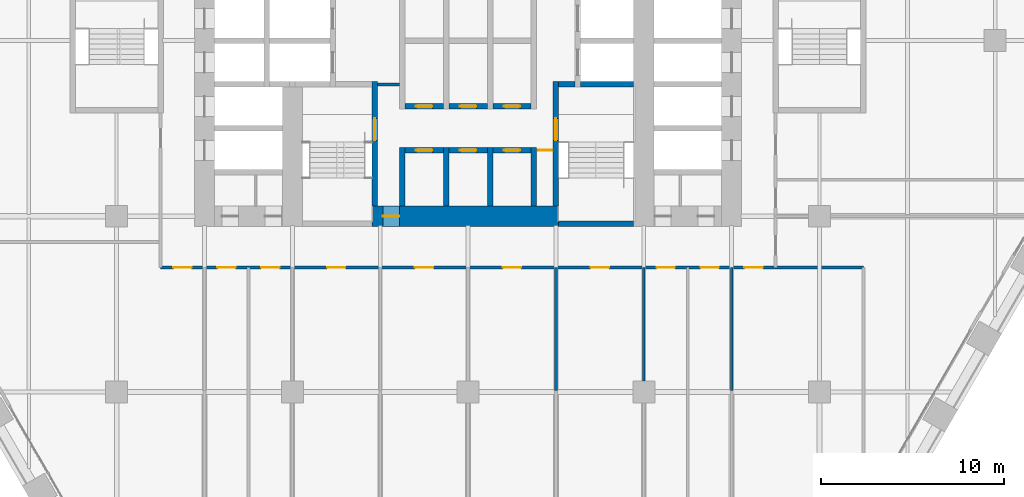
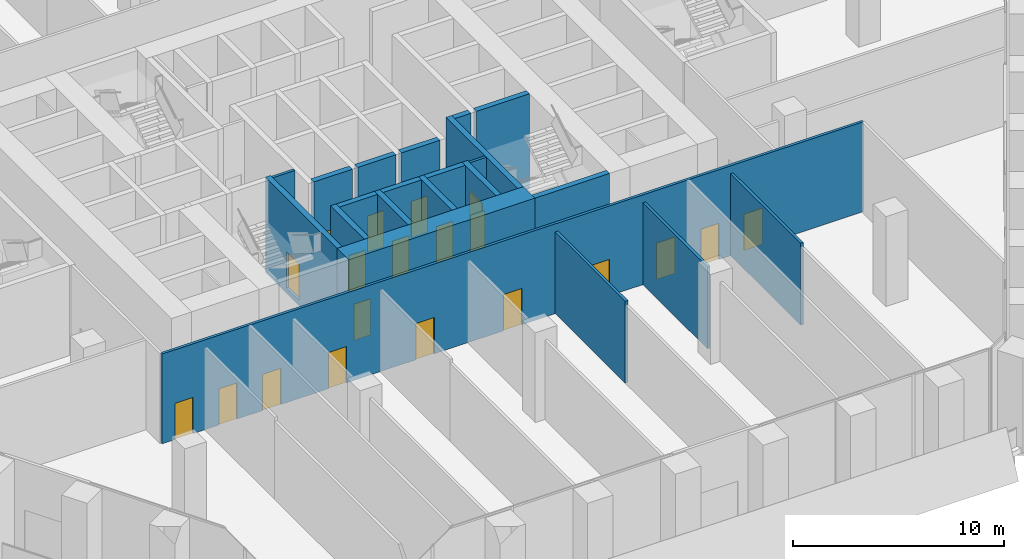
# One storey, part 18 of 27: 22 walls, 20 doors, 20 openings.
"""IFC4 building model written with IfcOpenShell, lengths in metres."""

from ifc_helpers import new_model, si_unit, direction, frame, frame_2d, origin, place, context, subcontext, project, spatial, rectangle, extrude, material, layer, layer_set, type_object, element, fill, save


model = new_model("IFC4")

# Units and contexts
model_context = context("Model", 3, precision=1e-05, world=origin(), true_north=direction((0.0, 1.0)))
body_context = subcontext(model_context, "Body", "Model", "MODEL_VIEW")
ifc_project = project(units=[si_unit("LENGTHUNIT", "METRE"), si_unit("AREAUNIT", "SQUARE_METRE"), si_unit("VOLUMEUNIT", "CUBIC_METRE"), si_unit("PLANEANGLEUNIT", "RADIAN"), si_unit("MASSUNIT", "GRAM", prefix="KILO")], contexts=[model_context])

# Site, building, storey
site_placement = place(None, origin())
site = spatial("IfcSite", under=ifc_project, at=site_placement, CompositionType="ELEMENT")
building_placement = place(site_placement, origin())
building = spatial("IfcBuilding", under=site, at=building_placement, Name="Kolab Exchange Tower", CompositionType="ELEMENT")
storey_placement = place(building_placement, frame((0.0, 0.0, 66.39990234375)))
storey = spatial("IfcBuildingStorey", under=building, at=storey_placement, Name="L12", CompositionType="ELEMENT", Elevation=66.39990234375)

# Wall, opening, door
ifc_material_1 = material(Name="Concrete C80/95", Category="concrete")
ifc_layer_1 = layer(ifc_material_1, 1.10009765625)
ifc_layer_set_1 = layer_set([ifc_layer_1], Name="Concrete C80/95")
wall_type_1 = type_object("IfcWallType", Name="CORE WALL 1100 C80/95", PredefinedType="SHEAR", material=ifc_layer_set_1)
wall_1_placement = place(storey_placement, frame((-5.25, -9.60009765625, -0.2998046875), z_axis=(0.0, 0.0, 1.0), x_axis=(1.0, 0.0, 0.0)))
wall_1 = element("IfcWall", 1, at=wall_1_placement, inside=storey, type_object=wall_type_1, Name="wall/L12/core/003", PredefinedType="SHEAR", context=body_context, shape_type="SweptSolid", body=[
    extrude(rectangle(XDim=10.199951171875, YDim=1.10009765625, at=frame_2d((5.10009765625, 0.0))), origin(), (0.0, 0.0, 1.0), 5.5),
])
opening_1_placement = place(wall_1_placement, frame((0.60009765625, 0.0, 0.300048828125)))
opening_1 = element("IfcOpeningElement", 2, at=opening_1_placement, cuts=wall_1, Name="Opening D6-158", PredefinedType="OPENING", context=body_context, shape_type="SweptSolid", body=[
    extrude(rectangle(XDim=0.89990234375, YDim=2.10009765625, at=frame_2d((0.449951171875, 1.050048828125))), frame((0.0, 0.56005859375, 0.0), z_axis=(0.0, -1.0, 0.0), x_axis=(1.0, 0.0, 0.0)), (0.0, 0.0, 1.0), 1.1201171875),
])
ifc_material_2 = material(Name="Steel S235", Category="steel")
door_type_1 = type_object("IfcDoorType", Name="CORE DOOR 900 EI 120", OperationType="SINGLE_SWING_LEFT", PredefinedType="DOOR", material=ifc_material_2)
door_1_placement = place(opening_1_placement, origin())
door_1 = element("IfcDoor", 3, at=door_1_placement, inside=storey, type_object=door_type_1, Name="Core lobby door", OperationType="SINGLE_SWING_RIGHT", OverallHeight=2.10009765625, OverallWidth=0.89990234375, PredefinedType="DOOR", context=body_context, shape_type="SweptSolid", body=[
    extrude(rectangle(XDim=0.89990234375, YDim=2.10009765625, at=frame_2d((0.449951171875, 1.050048828125))), frame((0.0, 0.02490234375, 0.0), z_axis=(0.0, -1.0, 0.0), x_axis=(1.0, 0.0, 0.0)), (0.0, 0.0, 1.0), 0.050048828125),
])
fill(opening_1, door_1)

ifc_material_3 = material(Name="Concrete C50/60", Category="concrete")
ifc_layer_2 = layer(ifc_material_3, 0.300048828125)
ifc_layer_set_2 = layer_set([ifc_layer_2], Name="Concrete C50/60")
wall_type_2 = type_object("IfcWallType", Name="LIFT SHAFT WALL 300 C50/60", PredefinedType="STANDARD", material=ifc_layer_set_2)
wall_2_placement = place(storey_placement, frame((-3.449951171875, -6.0, -0.2998046875), z_axis=(0.0, 0.0, 1.0), x_axis=(1.0, 0.0, 0.0)))
wall_2 = element("IfcWall", 4, at=wall_2_placement, inside=storey, type_object=wall_type_2, Name="wall/L12/core/007", PredefinedType="STANDARD", context=body_context, shape_type="SweptSolid", body=[
    extrude(rectangle(XDim=2.099853515625, YDim=0.300048828125, at=frame_2d((1.0498046875, 0.0))), origin(), (0.0, 0.0, 1.0), 5.5),
])
opening_2_placement = place(wall_2_placement, frame((0.60009765625, 0.0, 0.300048828125)))
opening_2 = element("IfcOpeningElement", 5, at=opening_2_placement, cuts=wall_2, Name="Opening D6-157", PredefinedType="OPENING", context=body_context, shape_type="SweptSolid", body=[
    extrude(rectangle(XDim=0.89990234375, YDim=2.10009765625, at=frame_2d((0.449951171875, 1.050048828125))), frame((0.0, 0.16015625, 0.0), z_axis=(0.0, -1.0, 0.0), x_axis=(1.0, 0.0, 0.0)), (0.0, 0.0, 1.0), 0.320068359375),
])
door_2_placement = place(opening_2_placement, frame((0.89990234375, 0.0, 0.0), z_axis=(0.0, 0.0, 1.0), x_axis=(-1.0, 0.0, 0.0)))
door_2 = element("IfcDoor", 6, at=door_2_placement, inside=storey, type_object=door_type_1, Name="Service room door", OperationType="SINGLE_SWING_LEFT", OverallHeight=2.10009765625, OverallWidth=0.89990234375, PredefinedType="DOOR", context=body_context, shape_type="SweptSolid", body=[
    extrude(rectangle(XDim=0.89990234375, YDim=2.10009765625, at=frame_2d((0.449951171875, 1.050048828125))), frame((0.0, 0.02490234375, 0.0), z_axis=(0.0, -1.0, 0.0), x_axis=(1.0, 0.0, 0.0)), (0.0, 0.0, 1.0), 0.050048828125),
])
fill(opening_2, door_2)

wall_3_placement = place(storey_placement, frame((-1.050048828125, -6.0, -0.2998046875), z_axis=(0.0, 0.0, 1.0), x_axis=(1.0, 0.0, 0.0)))
wall_3 = element("IfcWall", 7, at=wall_3_placement, inside=storey, type_object=wall_type_2, Name="wall/L12/core/008", PredefinedType="STANDARD", context=body_context, shape_type="SweptSolid", body=[
    extrude(rectangle(XDim=2.10009765625, YDim=0.300048828125, at=frame_2d((1.050048828125, 0.0))), origin(), (0.0, 0.0, 1.0), 5.5),
])
opening_3_placement = place(wall_3_placement, frame((0.60009765625, 0.0, 0.300048828125)))
opening_3 = element("IfcOpeningElement", 8, at=opening_3_placement, cuts=wall_3, Name="Opening D6-156", PredefinedType="OPENING", context=body_context, shape_type="SweptSolid", body=[
    extrude(rectangle(XDim=0.89990234375, YDim=2.10009765625, at=frame_2d((0.449951171875, 1.050048828125))), frame((0.0, 0.16015625, 0.0), z_axis=(0.0, -1.0, 0.0), x_axis=(1.0, 0.0, 0.0)), (0.0, 0.0, 1.0), 0.320068359375),
])
door_3_placement = place(opening_3_placement, frame((0.89990234375, 0.0, 0.0), z_axis=(0.0, 0.0, 1.0), x_axis=(-1.0, 0.0, 0.0)))
door_3 = element("IfcDoor", 9, at=door_3_placement, inside=storey, type_object=door_type_1, Name="Service room door", OperationType="SINGLE_SWING_LEFT", OverallHeight=2.10009765625, OverallWidth=0.89990234375, PredefinedType="DOOR", context=body_context, shape_type="SweptSolid", body=[
    extrude(rectangle(XDim=0.89990234375, YDim=2.10009765625, at=frame_2d((0.449951171875, 1.050048828125))), frame((0.0, 0.02490234375, 0.0), z_axis=(0.0, -1.0, 0.0), x_axis=(1.0, 0.0, 0.0)), (0.0, 0.0, 1.0), 0.050048828125),
])
fill(opening_3, door_3)

wall_4_placement = place(storey_placement, frame((1.35009765625, -6.0, -0.2998046875), z_axis=(0.0, 0.0, 1.0), x_axis=(1.0, 0.0, 0.0)))
wall_4 = element("IfcWall", 10, at=wall_4_placement, inside=storey, type_object=wall_type_2, Name="wall/L12/core/009", PredefinedType="STANDARD", context=body_context, shape_type="SweptSolid", body=[
    extrude(rectangle(XDim=2.099853515625, YDim=0.300048828125, at=frame_2d((1.0498046875, 0.0))), origin(), (0.0, 0.0, 1.0), 5.5),
])
opening_4_placement = place(wall_4_placement, frame((0.60009765625, 0.0, 0.300048828125)))
opening_4 = element("IfcOpeningElement", 11, at=opening_4_placement, cuts=wall_4, Name="Opening D6-155", PredefinedType="OPENING", context=body_context, shape_type="SweptSolid", body=[
    extrude(rectangle(XDim=0.89990234375, YDim=2.10009765625, at=frame_2d((0.449951171875, 1.050048828125))), frame((0.0, 0.16015625, 0.0), z_axis=(0.0, -1.0, 0.0), x_axis=(1.0, 0.0, 0.0)), (0.0, 0.0, 1.0), 0.320068359375),
])
door_4_placement = place(opening_4_placement, frame((0.89990234375, 0.0, 0.0), z_axis=(0.0, 0.0, 1.0), x_axis=(-1.0, 0.0, 0.0)))
door_4 = element("IfcDoor", 12, at=door_4_placement, inside=storey, type_object=door_type_1, Name="Service room door", OperationType="SINGLE_SWING_RIGHT", OverallHeight=2.10009765625, OverallWidth=0.89990234375, PredefinedType="DOOR", context=body_context, shape_type="SweptSolid", body=[
    extrude(rectangle(XDim=0.89990234375, YDim=2.10009765625, at=frame_2d((0.449951171875, 1.050048828125))), frame((0.0, 0.02490234375, 0.0), z_axis=(0.0, -1.0, 0.0), x_axis=(1.0, 0.0, 0.0)), (0.0, 0.0, 1.0), 0.050048828125),
])
fill(opening_4, door_4)

wall_5_placement = place(storey_placement, frame((-3.449951171875, -3.60009765625, -0.2998046875), z_axis=(0.0, 0.0, 1.0), x_axis=(1.0, 0.0, 0.0)))
wall_5 = element("IfcWall", 13, at=wall_5_placement, inside=storey, type_object=wall_type_2, Name="wall/L12/core/014", PredefinedType="STANDARD", context=body_context, shape_type="SweptSolid", body=[
    extrude(rectangle(XDim=2.099853515625, YDim=0.300048828125, at=frame_2d((1.0498046875, 0.0))), origin(), (0.0, 0.0, 1.0), 5.5),
])
opening_5_placement = place(wall_5_placement, frame((0.60009765625, 0.0, 0.300048828125)))
opening_5 = element("IfcOpeningElement", 14, at=opening_5_placement, cuts=wall_5, Name="Opening D6-154", PredefinedType="OPENING", context=body_context, shape_type="SweptSolid", body=[
    extrude(rectangle(XDim=0.89990234375, YDim=2.10009765625, at=frame_2d((0.449951171875, 1.050048828125))), frame((0.0, 0.16015625, 0.0), z_axis=(0.0, -1.0, 0.0), x_axis=(1.0, 0.0, 0.0)), (0.0, 0.0, 1.0), 0.320068359375),
])
door_5_placement = place(opening_5_placement, origin())
door_5 = element("IfcDoor", 15, at=door_5_placement, inside=storey, type_object=door_type_1, Name="Service room door", OperationType="SINGLE_SWING_LEFT", OverallHeight=2.10009765625, OverallWidth=0.89990234375, PredefinedType="DOOR", context=body_context, shape_type="SweptSolid", body=[
    extrude(rectangle(XDim=0.89990234375, YDim=2.10009765625, at=frame_2d((0.449951171875, 1.050048828125))), frame((0.0, 0.02490234375, 0.0), z_axis=(0.0, -1.0, 0.0), x_axis=(1.0, 0.0, 0.0)), (0.0, 0.0, 1.0), 0.050048828125),
])
fill(opening_5, door_5)

wall_6_placement = place(storey_placement, frame((-1.050048828125, -3.60009765625, -0.2998046875), z_axis=(0.0, 0.0, 1.0), x_axis=(1.0, 0.0, 0.0)))
wall_6 = element("IfcWall", 16, at=wall_6_placement, inside=storey, type_object=wall_type_2, Name="wall/L12/core/015", PredefinedType="STANDARD", context=body_context, shape_type="SweptSolid", body=[
    extrude(rectangle(XDim=2.10009765625, YDim=0.300048828125, at=frame_2d((1.050048828125, 0.0))), origin(), (0.0, 0.0, 1.0), 5.5),
])
opening_6_placement = place(wall_6_placement, frame((0.60009765625, 0.0, 0.300048828125)))
opening_6 = element("IfcOpeningElement", 17, at=opening_6_placement, cuts=wall_6, Name="Opening D6-153", PredefinedType="OPENING", context=body_context, shape_type="SweptSolid", body=[
    extrude(rectangle(XDim=0.89990234375, YDim=2.10009765625, at=frame_2d((0.449951171875, 1.050048828125))), frame((0.0, 0.16015625, 0.0), z_axis=(0.0, -1.0, 0.0), x_axis=(1.0, 0.0, 0.0)), (0.0, 0.0, 1.0), 0.320068359375),
])
door_6_placement = place(opening_6_placement, origin())
door_6 = element("IfcDoor", 18, at=door_6_placement, inside=storey, type_object=door_type_1, Name="Service room door", OperationType="SINGLE_SWING_RIGHT", OverallHeight=2.10009765625, OverallWidth=0.89990234375, PredefinedType="DOOR", context=body_context, shape_type="SweptSolid", body=[
    extrude(rectangle(XDim=0.89990234375, YDim=2.10009765625, at=frame_2d((0.449951171875, 1.050048828125))), frame((0.0, 0.02490234375, 0.0), z_axis=(0.0, -1.0, 0.0), x_axis=(1.0, 0.0, 0.0)), (0.0, 0.0, 1.0), 0.050048828125),
])
fill(opening_6, door_6)

wall_7_placement = place(storey_placement, frame((1.35009765625, -3.60009765625, -0.2998046875), z_axis=(0.0, 0.0, 1.0), x_axis=(1.0, 0.0, 0.0)))
wall_7 = element("IfcWall", 19, at=wall_7_placement, inside=storey, type_object=wall_type_2, Name="wall/L12/core/016", PredefinedType="STANDARD", context=body_context, shape_type="SweptSolid", body=[
    extrude(rectangle(XDim=2.099853515625, YDim=0.300048828125, at=frame_2d((1.0498046875, 0.0))), origin(), (0.0, 0.0, 1.0), 5.5),
])
opening_7_placement = place(wall_7_placement, frame((0.60009765625, 0.0, 0.300048828125)))
opening_7 = element("IfcOpeningElement", 20, at=opening_7_placement, cuts=wall_7, Name="Opening D6-152", PredefinedType="OPENING", context=body_context, shape_type="SweptSolid", body=[
    extrude(rectangle(XDim=0.89990234375, YDim=2.10009765625, at=frame_2d((0.449951171875, 1.050048828125))), frame((0.0, 0.16015625, 0.0), z_axis=(0.0, -1.0, 0.0), x_axis=(1.0, 0.0, 0.0)), (0.0, 0.0, 1.0), 0.320068359375),
])
door_7_placement = place(opening_7_placement, origin())
door_7 = element("IfcDoor", 21, at=door_7_placement, inside=storey, type_object=door_type_1, Name="Service room door", OperationType="SINGLE_SWING_RIGHT", OverallHeight=2.10009765625, OverallWidth=0.89990234375, PredefinedType="DOOR", context=body_context, shape_type="SweptSolid", body=[
    extrude(rectangle(XDim=0.89990234375, YDim=2.10009765625, at=frame_2d((0.449951171875, 1.050048828125))), frame((0.0, 0.02490234375, 0.0), z_axis=(0.0, -1.0, 0.0), x_axis=(1.0, 0.0, 0.0)), (0.0, 0.0, 1.0), 0.050048828125),
])
fill(opening_7, door_7)

# Walls
for number, where, z_axis, x_axis, name in (
    (22, (-3.60009765625, -9.050048828125, -0.2998046875), (0.0, 0.0, 1.0), (0.0, 1.0, 0.0), "wall/L12/core/066"),
    (23, (-1.199951171875, -9.050048828125, -0.2998046875), (0.0, 0.0, 1.0), (0.0, 1.0, 0.0), "wall/L12/core/069"),
    (24, (1.199951171875, -9.050048828125, -0.2998046875), (0.0, 0.0, 1.0), (0.0, 1.0, 0.0), "wall/L12/core/072"),
    (25, (3.60009765625, -9.050048828125, -0.2998046875), (0.0, 0.0, 1.0), (0.0, 1.0, 0.0), "wall/L12/core/075"),
):
    element("IfcWall", number, at=place(storey_placement, frame(where, z_axis=z_axis, x_axis=x_axis)), inside=storey, type_object=wall_type_2, Name=name, PredefinedType="STANDARD", context=body_context, shape_type="SweptSolid", body=[
        extrude(rectangle(XDim=3.199951171875, YDim=0.300048828125, at=frame_2d((1.60009765625, 0.0))), origin(), (0.0, 0.0, 1.0), 5.5),
    ])
ifc_material_4 = material(Name="Gypsum board", Category="gypsum")
ifc_layer_3 = layer(ifc_material_4, 0.14990234375)
ifc_layer_set_3 = layer_set([ifc_layer_3], Name="Gypsum board")
wall_type_3 = type_object("IfcWallType", Name="PARTITION 150 FIRE-RATED", PredefinedType="PARTITIONING", material=ifc_layer_set_3)
wall_8_placement = place(storey_placement, frame((14.39990234375, -19.113037109375, 0.0), z_axis=(0.0, 0.0, 1.0), x_axis=(0.0, 1.0, 0.0)))
element("IfcWall", 26, at=wall_8_placement, inside=storey, type_object=wall_type_3, Name="Partition 004", PredefinedType="PARTITIONING", context=body_context, shape_type="SweptSolid", body=[
    extrude(rectangle(XDim=6.713134765625, YDim=0.14990234375, at=frame_2d((3.3564453125, 0.0))), origin(), (0.0, 0.0, 1.0), 4.7431640625),
])
wall_9_placement = place(storey_placement, frame((9.60009765625, -18.60009765625, 0.0), z_axis=(0.0, 0.0, 1.0), x_axis=(0.0, 1.0, 0.0)))
element("IfcWall", 27, at=wall_9_placement, inside=storey, type_object=wall_type_3, Name="Partition 011", PredefinedType="PARTITIONING", context=body_context, shape_type="SweptSolid", body=[
    extrude(rectangle(XDim=6.2001953125, YDim=0.14990234375, at=frame_2d((3.10009765625, 0.0))), origin(), (0.0, 0.0, 1.0), 4.7431640625),
])
wall_10_placement = place(storey_placement, frame((4.800048828125, -19.113037109375, 0.0), z_axis=(0.0, 0.0, 1.0), x_axis=(0.0, 1.0, 0.0)))
element("IfcWall", 28, at=wall_10_placement, inside=storey, type_object=wall_type_3, Name="Partition 014", PredefinedType="PARTITIONING", context=body_context, shape_type="SweptSolid", body=[
    extrude(rectangle(XDim=6.713134765625, YDim=0.14990234375, at=frame_2d((3.3564453125, 0.0))), origin(), (0.0, 0.0, 1.0), 4.7431640625),
])

# Wall, openings, doors
wall_11_placement = place(storey_placement, frame((-16.800048828125, -12.39990234375, 0.0), z_axis=(0.0, 0.0, 1.0), x_axis=(1.0, 0.0, 0.0)))
wall_11 = element("IfcWall", 29, at=wall_11_placement, inside=storey, type_object=wall_type_3, Name="Partition 035", PredefinedType="PARTITIONING", context=body_context, shape_type="SweptSolid", body=[
    extrude(rectangle(XDim=38.400146484375, YDim=0.14990234375, at=frame_2d((19.2001953125, 0.0))), origin(), (0.0, 0.0, 1.0), 5.2001953125),
])
opening_8_placement = place(wall_11_placement, frame((0.699951171875, 0.0, 0.0)))
opening_8 = element("IfcOpeningElement", 30, at=opening_8_placement, cuts=wall_11, Name="Opening D1-152", PredefinedType="OPENING", context=body_context, shape_type="SweptSolid", body=[
    extrude(rectangle(XDim=1.0, YDim=2.10009765625, at=frame_2d((0.5, 1.050048828125))), frame((0.0, 0.0849609375, 0.0), z_axis=(0.0, -1.0, 0.0), x_axis=(1.0, 0.0, 0.0)), (0.0, 0.0, 1.0), 0.169921875),
])
opening_9_placement = place(wall_11_placement, frame((3.10009765625, 0.0, 0.0)))
opening_9 = element("IfcOpeningElement", 31, at=opening_9_placement, cuts=wall_11, Name="Opening D1-153", PredefinedType="OPENING", context=body_context, shape_type="SweptSolid", body=[
    extrude(rectangle(XDim=1.0, YDim=2.10009765625, at=frame_2d((0.5, 1.050048828125))), frame((0.0, 0.0849609375, 0.0), z_axis=(0.0, -1.0, 0.0), x_axis=(1.0, 0.0, 0.0)), (0.0, 0.0, 1.0), 0.169921875),
])
opening_10_placement = place(wall_11_placement, frame((5.5, 0.0, 0.0)))
opening_10 = element("IfcOpeningElement", 32, at=opening_10_placement, cuts=wall_11, Name="Opening D1-154", PredefinedType="OPENING", context=body_context, shape_type="SweptSolid", body=[
    extrude(rectangle(XDim=1.0, YDim=2.10009765625, at=frame_2d((0.5, 1.050048828125))), frame((0.0, 0.0849609375, 0.0), z_axis=(0.0, -1.0, 0.0), x_axis=(1.0, 0.0, 0.0)), (0.0, 0.0, 1.0), 0.169921875),
])
opening_11_placement = place(wall_11_placement, frame((9.10009765625, 0.0, 0.0)))
opening_11 = element("IfcOpeningElement", 33, at=opening_11_placement, cuts=wall_11, Name="Opening D1-155", PredefinedType="OPENING", context=body_context, shape_type="SweptSolid", body=[
    extrude(rectangle(XDim=1.0, YDim=2.10009765625, at=frame_2d((0.5, 1.050048828125))), frame((0.0, 0.0849609375, 0.0), z_axis=(0.0, -1.0, 0.0), x_axis=(1.0, 0.0, 0.0)), (0.0, 0.0, 1.0), 0.169921875),
])
opening_12_placement = place(wall_11_placement, frame((13.89990234375, 0.0, 0.0)))
opening_12 = element("IfcOpeningElement", 34, at=opening_12_placement, cuts=wall_11, Name="Opening D1-156", PredefinedType="OPENING", context=body_context, shape_type="SweptSolid", body=[
    extrude(rectangle(XDim=1.0, YDim=2.10009765625, at=frame_2d((0.5, 1.050048828125))), frame((0.0, 0.0849609375, 0.0), z_axis=(0.0, -1.0, 0.0), x_axis=(1.0, 0.0, 0.0)), (0.0, 0.0, 1.0), 0.169921875),
])
opening_13_placement = place(wall_11_placement, frame((18.699951171875, 0.0, 0.0)))
opening_13 = element("IfcOpeningElement", 35, at=opening_13_placement, cuts=wall_11, Name="Opening D1-157", PredefinedType="OPENING", context=body_context, shape_type="SweptSolid", body=[
    extrude(rectangle(XDim=1.0, YDim=2.10009765625, at=frame_2d((0.5, 1.050048828125))), frame((0.0, 0.0849609375, 0.0), z_axis=(0.0, -1.0, 0.0), x_axis=(1.0, 0.0, 0.0)), (0.0, 0.0, 1.0), 0.169921875),
])
opening_14_placement = place(wall_11_placement, frame((23.5, 0.0, 0.0)))
opening_14 = element("IfcOpeningElement", 36, at=opening_14_placement, cuts=wall_11, Name="Opening D1-158", PredefinedType="OPENING", context=body_context, shape_type="SweptSolid", body=[
    extrude(rectangle(XDim=1.0, YDim=2.10009765625, at=frame_2d((0.5, 1.050048828125))), frame((0.0, 0.0849609375, 0.0), z_axis=(0.0, -1.0, 0.0), x_axis=(1.0, 0.0, 0.0)), (0.0, 0.0, 1.0), 0.169921875),
])
opening_15_placement = place(wall_11_placement, frame((27.10009765625, 0.0, 0.0)))
opening_15 = element("IfcOpeningElement", 37, at=opening_15_placement, cuts=wall_11, Name="Opening D1-159", PredefinedType="OPENING", context=body_context, shape_type="SweptSolid", body=[
    extrude(rectangle(XDim=1.0, YDim=2.10009765625, at=frame_2d((0.5, 1.050048828125))), frame((0.0, 0.0849609375, 0.0), z_axis=(0.0, -1.0, 0.0), x_axis=(1.0, 0.0, 0.0)), (0.0, 0.0, 1.0), 0.169921875),
])
opening_16_placement = place(wall_11_placement, frame((29.5, 0.0, 0.0)))
opening_16 = element("IfcOpeningElement", 38, at=opening_16_placement, cuts=wall_11, Name="Opening D1-160", PredefinedType="OPENING", context=body_context, shape_type="SweptSolid", body=[
    extrude(rectangle(XDim=1.0, YDim=2.10009765625, at=frame_2d((0.5, 1.050048828125))), frame((0.0, 0.0849609375, 0.0), z_axis=(0.0, -1.0, 0.0), x_axis=(1.0, 0.0, 0.0)), (0.0, 0.0, 1.0), 0.169921875),
])
opening_17_placement = place(wall_11_placement, frame((31.89990234375, 0.0, 0.0)))
opening_17 = element("IfcOpeningElement", 39, at=opening_17_placement, cuts=wall_11, Name="Opening D1-161", PredefinedType="OPENING", context=body_context, shape_type="SweptSolid", body=[
    extrude(rectangle(XDim=1.0, YDim=2.10009765625, at=frame_2d((0.5, 1.050048828125))), frame((0.0, 0.0849609375, 0.0), z_axis=(0.0, -1.0, 0.0), x_axis=(1.0, 0.0, 0.0)), (0.0, 0.0, 1.0), 0.169921875),
])
door_type_2 = type_object("IfcDoorType", Name="FLUSH DOOR 1000 FD60", OperationType="SINGLE_SWING_LEFT", PredefinedType="DOOR", material=ifc_material_2)
door_8_placement = place(opening_8_placement, frame((1.0, 0.0, 0.0), z_axis=(0.0, 0.0, 1.0), x_axis=(-1.0, 0.0, 0.0)))
door_8 = element("IfcDoor", 40, at=door_8_placement, inside=storey, type_object=door_type_2, Name="Door L12-058", OperationType="SINGLE_SWING_RIGHT", OverallHeight=2.10009765625, OverallWidth=1.0, PredefinedType="DOOR", context=body_context, shape_type="SweptSolid", body=[
    extrude(rectangle(XDim=1.0, YDim=2.10009765625, at=frame_2d((0.5, 1.050048828125))), frame((0.0, 0.02490234375, 0.0), z_axis=(0.0, -1.0, 0.0), x_axis=(1.0, 0.0, 0.0)), (0.0, 0.0, 1.0), 0.050048828125),
])
fill(opening_8, door_8)
door_9_placement = place(opening_9_placement, frame((1.0, 0.0, 0.0), z_axis=(0.0, 0.0, 1.0), x_axis=(-1.0, 0.0, 0.0)))
door_9 = element("IfcDoor", 41, at=door_9_placement, inside=storey, type_object=door_type_2, Name="Door L12-059", OperationType="SINGLE_SWING_LEFT", OverallHeight=2.10009765625, OverallWidth=1.0, PredefinedType="DOOR", context=body_context, shape_type="SweptSolid", body=[
    extrude(rectangle(XDim=1.0, YDim=2.10009765625, at=frame_2d((0.5, 1.050048828125))), frame((0.0, 0.02490234375, 0.0), z_axis=(0.0, -1.0, 0.0), x_axis=(1.0, 0.0, 0.0)), (0.0, 0.0, 1.0), 0.050048828125),
])
fill(opening_9, door_9)
door_10_placement = place(opening_10_placement, frame((1.0, 0.0, 0.0), z_axis=(0.0, 0.0, 1.0), x_axis=(-1.0, 0.0, 0.0)))
door_10 = element("IfcDoor", 42, at=door_10_placement, inside=storey, type_object=door_type_2, Name="Door L12-060", OperationType="SINGLE_SWING_LEFT", OverallHeight=2.10009765625, OverallWidth=1.0, PredefinedType="DOOR", context=body_context, shape_type="SweptSolid", body=[
    extrude(rectangle(XDim=1.0, YDim=2.10009765625, at=frame_2d((0.5, 1.050048828125))), frame((0.0, 0.02490234375, 0.0), z_axis=(0.0, -1.0, 0.0), x_axis=(1.0, 0.0, 0.0)), (0.0, 0.0, 1.0), 0.050048828125),
])
fill(opening_10, door_10)
door_11_placement = place(opening_11_placement, frame((1.0, 0.0, 0.0), z_axis=(0.0, 0.0, 1.0), x_axis=(-1.0, 0.0, 0.0)))
door_11 = element("IfcDoor", 43, at=door_11_placement, inside=storey, type_object=door_type_2, Name="Door L12-061", OperationType="SINGLE_SWING_LEFT", OverallHeight=2.10009765625, OverallWidth=1.0, PredefinedType="DOOR", context=body_context, shape_type="SweptSolid", body=[
    extrude(rectangle(XDim=1.0, YDim=2.10009765625, at=frame_2d((0.5, 1.050048828125))), frame((0.0, 0.02490234375, 0.0), z_axis=(0.0, -1.0, 0.0), x_axis=(1.0, 0.0, 0.0)), (0.0, 0.0, 1.0), 0.050048828125),
])
fill(opening_11, door_11)
door_12_placement = place(opening_12_placement, frame((1.0, 0.0, 0.0), z_axis=(0.0, 0.0, 1.0), x_axis=(-1.0, 0.0, 0.0)))
door_12 = element("IfcDoor", 44, at=door_12_placement, inside=storey, type_object=door_type_2, Name="Door L12-062", OperationType="SINGLE_SWING_LEFT", OverallHeight=2.10009765625, OverallWidth=1.0, PredefinedType="DOOR", context=body_context, shape_type="SweptSolid", body=[
    extrude(rectangle(XDim=1.0, YDim=2.10009765625, at=frame_2d((0.5, 1.050048828125))), frame((0.0, 0.02490234375, 0.0), z_axis=(0.0, -1.0, 0.0), x_axis=(1.0, 0.0, 0.0)), (0.0, 0.0, 1.0), 0.050048828125),
])
fill(opening_12, door_12)
door_13_placement = place(opening_13_placement, frame((1.0, 0.0, 0.0), z_axis=(0.0, 0.0, 1.0), x_axis=(-1.0, 0.0, 0.0)))
door_13 = element("IfcDoor", 45, at=door_13_placement, inside=storey, type_object=door_type_2, Name="Door L12-063", OperationType="SINGLE_SWING_LEFT", OverallHeight=2.10009765625, OverallWidth=1.0, PredefinedType="DOOR", context=body_context, shape_type="SweptSolid", body=[
    extrude(rectangle(XDim=1.0, YDim=2.10009765625, at=frame_2d((0.5, 1.050048828125))), frame((0.0, 0.02490234375, 0.0), z_axis=(0.0, -1.0, 0.0), x_axis=(1.0, 0.0, 0.0)), (0.0, 0.0, 1.0), 0.050048828125),
])
fill(opening_13, door_13)
door_14_placement = place(opening_14_placement, frame((1.0, 0.0, 0.0), z_axis=(0.0, 0.0, 1.0), x_axis=(-1.0, 0.0, 0.0)))
door_14 = element("IfcDoor", 46, at=door_14_placement, inside=storey, type_object=door_type_2, Name="Door L12-064", OperationType="SINGLE_SWING_LEFT", OverallHeight=2.10009765625, OverallWidth=1.0, PredefinedType="DOOR", context=body_context, shape_type="SweptSolid", body=[
    extrude(rectangle(XDim=1.0, YDim=2.10009765625, at=frame_2d((0.5, 1.050048828125))), frame((0.0, 0.02490234375, 0.0), z_axis=(0.0, -1.0, 0.0), x_axis=(1.0, 0.0, 0.0)), (0.0, 0.0, 1.0), 0.050048828125),
])
fill(opening_14, door_14)
door_15_placement = place(opening_15_placement, frame((1.0, 0.0, 0.0), z_axis=(0.0, 0.0, 1.0), x_axis=(-1.0, 0.0, 0.0)))
door_15 = element("IfcDoor", 47, at=door_15_placement, inside=storey, type_object=door_type_2, Name="Door L12-065", OperationType="SINGLE_SWING_RIGHT", OverallHeight=2.10009765625, OverallWidth=1.0, PredefinedType="DOOR", context=body_context, shape_type="SweptSolid", body=[
    extrude(rectangle(XDim=1.0, YDim=2.10009765625, at=frame_2d((0.5, 1.050048828125))), frame((0.0, 0.02490234375, 0.0), z_axis=(0.0, -1.0, 0.0), x_axis=(1.0, 0.0, 0.0)), (0.0, 0.0, 1.0), 0.050048828125),
])
fill(opening_15, door_15)
door_16_placement = place(opening_16_placement, frame((1.0, 0.0, 0.0), z_axis=(0.0, 0.0, 1.0), x_axis=(-1.0, 0.0, 0.0)))
door_16 = element("IfcDoor", 48, at=door_16_placement, inside=storey, type_object=door_type_2, Name="Door L12-066", OperationType="SINGLE_SWING_LEFT", OverallHeight=2.10009765625, OverallWidth=1.0, PredefinedType="DOOR", context=body_context, shape_type="SweptSolid", body=[
    extrude(rectangle(XDim=1.0, YDim=2.10009765625, at=frame_2d((0.5, 1.050048828125))), frame((0.0, 0.02490234375, 0.0), z_axis=(0.0, -1.0, 0.0), x_axis=(1.0, 0.0, 0.0)), (0.0, 0.0, 1.0), 0.050048828125),
])
fill(opening_16, door_16)
door_17_placement = place(opening_17_placement, frame((1.0, 0.0, 0.0), z_axis=(0.0, 0.0, 1.0), x_axis=(-1.0, 0.0, 0.0)))
door_17 = element("IfcDoor", 49, at=door_17_placement, inside=storey, type_object=door_type_2, Name="Door L12-067", OperationType="SINGLE_SWING_LEFT", OverallHeight=2.10009765625, OverallWidth=1.0, PredefinedType="DOOR", context=body_context, shape_type="SweptSolid", body=[
    extrude(rectangle(XDim=1.0, YDim=2.10009765625, at=frame_2d((0.5, 1.050048828125))), frame((0.0, 0.02490234375, 0.0), z_axis=(0.0, -1.0, 0.0), x_axis=(1.0, 0.0, 0.0)), (0.0, 0.0, 1.0), 0.050048828125),
])
fill(opening_17, door_17)

# Wall, opening, door
wall_12_placement = place(storey_placement, frame((3.75, -6.0, 0.0), z_axis=(0.0, 0.0, 1.0), x_axis=(1.0, 0.0, 0.0)))
wall_12 = element("IfcWall", 50, at=wall_12_placement, inside=storey, type_object=wall_type_3, Name="Partition 040", PredefinedType="PARTITIONING", context=body_context, shape_type="SweptSolid", body=[
    extrude(rectangle(XDim=0.89990234375, YDim=0.14990234375, at=frame_2d((0.449951171875, 0.0))), origin(), (0.0, 0.0, 1.0), 5.2001953125),
])
opening_18_placement = place(wall_12_placement, frame((0.050048828125, 0.0, 0.0)))
opening_18 = element("IfcOpeningElement", 51, at=opening_18_placement, cuts=wall_12, Name="Opening D7-015", PredefinedType="OPENING", context=body_context, shape_type="SweptSolid", body=[
    extrude(rectangle(XDim=0.800048828125, YDim=2.10009765625, at=frame_2d((0.39990234375, 1.050048828125))), frame((0.0, 0.0849609375, 0.0), z_axis=(0.0, -1.0, 0.0), x_axis=(1.0, 0.0, 0.0)), (0.0, 0.0, 1.0), 0.169921875),
])
door_type_3 = type_object("IfcDoorType", Name="FLUSH DOOR 800 FD60", OperationType="SINGLE_SWING_LEFT", PredefinedType="DOOR", material=ifc_material_2)
door_18_placement = place(opening_18_placement, frame((0.800048828125, 0.0, 0.0), z_axis=(0.0, 0.0, 1.0), x_axis=(-1.0, 0.0, 0.0)))
door_18 = element("IfcDoor", 52, at=door_18_placement, inside=storey, type_object=door_type_3, Name="Door L12-043", OperationType="SINGLE_SWING_RIGHT", OverallHeight=2.10009765625, OverallWidth=0.800048828125, PredefinedType="DOOR", context=body_context, shape_type="SweptSolid", body=[
    extrude(rectangle(XDim=0.800048828125, YDim=2.10009765625, at=frame_2d((0.39990234375, 1.050048828125))), frame((0.0, 0.02490234375, 0.0), z_axis=(0.0, -1.0, 0.0), x_axis=(1.0, 0.0, 0.0)), (0.0, 0.0, 1.0), 0.050048828125),
])
fill(opening_18, door_18)

# Walls
wall_13_placement = place(storey_placement, frame((-4.949951171875, -2.39990234375, 0.0), z_axis=(0.0, 0.0, 1.0), x_axis=(1.0, 0.0, 0.0)))
element("IfcWall", 53, at=wall_13_placement, inside=storey, type_object=wall_type_3, Name="Fire partition", PredefinedType="PARTITIONING", context=body_context, shape_type="SweptSolid", body=[
    extrude(rectangle(XDim=1.199951171875, YDim=0.14990234375, at=frame_2d((0.60009765625, 0.0))), origin(), (0.0, 0.0, 1.0), 5.2001953125),
])
ifc_layer_4 = layer(ifc_material_3, 0.300048828125)
ifc_layer_set_4 = layer_set([ifc_layer_4], Name="Concrete C50/60")
wall_type_4 = type_object("IfcWallType", Name="STAIR ENCLOSURE WALL 300 C50/60", PredefinedType="STANDARD", material=ifc_layer_set_4)
wall_14_placement = place(storey_placement, frame((4.949951171875, -10.0, -0.2998046875), z_axis=(0.0, 0.0, 1.0), x_axis=(1.0, 0.0, 0.0)))
element("IfcWall", 54, at=wall_14_placement, inside=storey, type_object=wall_type_4, Name="wall/L12/core/001", PredefinedType="STANDARD", context=body_context, shape_type="SweptSolid", body=[
    extrude(rectangle(XDim=4.10009765625, YDim=0.300048828125, at=frame_2d((2.050048828125, 0.0))), origin(), (0.0, 0.0, 1.0), 5.5),
])
wall_15_placement = place(storey_placement, frame((4.949951171875, -2.39990234375, -0.2998046875), z_axis=(0.0, 0.0, 1.0), x_axis=(1.0, 0.0, 0.0)))
element("IfcWall", 55, at=wall_15_placement, inside=storey, type_object=wall_type_4, Name="wall/L12/core/021", PredefinedType="STANDARD", context=body_context, shape_type="SweptSolid", body=[
    extrude(rectangle(XDim=0.900146484375, YDim=0.300048828125, at=frame_2d((0.4501953125, 0.0))), origin(), (0.0, 0.0, 1.0), 5.5),
])
wall_16_placement = place(storey_placement, frame((6.14990234375, -2.39990234375, -0.2998046875), z_axis=(0.0, 0.0, 1.0), x_axis=(1.0, 0.0, 0.0)))
element("IfcWall", 56, at=wall_16_placement, inside=storey, type_object=wall_type_4, Name="wall/L12/core/022", PredefinedType="STANDARD", context=body_context, shape_type="SweptSolid", body=[
    extrude(rectangle(XDim=2.900146484375, YDim=0.300048828125, at=frame_2d((1.4501953125, 0.0))), origin(), (0.0, 0.0, 1.0), 5.5),
])

# Wall, opening, door
wall_17_placement = place(storey_placement, frame((-5.10009765625, -9.050048828125, -0.2998046875), z_axis=(0.0, 0.0, 1.0), x_axis=(0.0, 1.0, 0.0)))
wall_17 = element("IfcWall", 57, at=wall_17_placement, inside=storey, type_object=wall_type_4, Name="wall/L12/core/064", PredefinedType="STANDARD", context=body_context, shape_type="SweptSolid", body=[
    extrude(rectangle(XDim=6.800048828125, YDim=0.300048828125, at=frame_2d((3.39990234375, 0.0))), origin(), (0.0, 0.0, 1.0), 5.5),
])
opening_19_placement = place(wall_17_placement, frame((3.60009765625, 0.0, 0.300048828125)))
opening_19 = element("IfcOpeningElement", 58, at=opening_19_placement, cuts=wall_17, Name="Opening D4-034", PredefinedType="OPENING", context=body_context, shape_type="SweptSolid", body=[
    extrude(rectangle(XDim=1.199951171875, YDim=2.10009765625, at=frame_2d((0.60009765625, 1.050048828125))), frame((0.0, 0.16015625, 0.0), z_axis=(0.0, -1.0, 0.0), x_axis=(1.0, 0.0, 0.0)), (0.0, 0.0, 1.0), 0.320068359375),
])
door_type_4 = type_object("IfcDoorType", Name="STAIR DOOR 1200 EI 120", OperationType="SINGLE_SWING_LEFT", PredefinedType="DOOR", material=ifc_material_2)
door_19_placement = place(opening_19_placement, origin())
door_19 = element("IfcDoor", 59, at=door_19_placement, inside=storey, type_object=door_type_4, Name="Stair 3 door", OperationType="SINGLE_SWING_RIGHT", OverallHeight=2.10009765625, OverallWidth=1.199951171875, PredefinedType="DOOR", context=body_context, shape_type="SweptSolid", body=[
    extrude(rectangle(XDim=1.199951171875, YDim=2.10009765625, at=frame_2d((0.60009765625, 1.050048828125))), frame((0.0, 0.02490234375, 0.0), z_axis=(0.0, -1.0, 0.0), x_axis=(1.0, 0.0, 0.0)), (0.0, 0.0, 1.0), 0.050048828125),
])
fill(opening_19, door_19)

wall_18_placement = place(storey_placement, frame((4.800048828125, -9.050048828125, -0.2998046875), z_axis=(0.0, 0.0, 1.0), x_axis=(0.0, 1.0, 0.0)))
wall_18 = element("IfcWall", 60, at=wall_18_placement, inside=storey, type_object=wall_type_4, Name="wall/L12/core/078", PredefinedType="STANDARD", context=body_context, shape_type="SweptSolid", body=[
    extrude(rectangle(XDim=6.800048828125, YDim=0.300048828125, at=frame_2d((3.39990234375, 0.0))), origin(), (0.0, 0.0, 1.0), 5.5),
])
opening_20_placement = place(wall_18_placement, frame((3.60009765625, 0.0, 0.300048828125)))
opening_20 = element("IfcOpeningElement", 61, at=opening_20_placement, cuts=wall_18, Name="Opening D4-033", PredefinedType="OPENING", context=body_context, shape_type="SweptSolid", body=[
    extrude(rectangle(XDim=1.199951171875, YDim=2.10009765625, at=frame_2d((0.60009765625, 1.050048828125))), frame((0.0, 0.16015625, 0.0), z_axis=(0.0, -1.0, 0.0), x_axis=(1.0, 0.0, 0.0)), (0.0, 0.0, 1.0), 0.320068359375),
])
door_20_placement = place(opening_20_placement, frame((1.199951171875, 0.0, 0.0), z_axis=(0.0, 0.0, 1.0), x_axis=(-1.0, 0.0, 0.0)))
door_20 = element("IfcDoor", 62, at=door_20_placement, inside=storey, type_object=door_type_4, Name="Stair 2 door", OperationType="SINGLE_SWING_RIGHT", OverallHeight=2.10009765625, OverallWidth=1.199951171875, PredefinedType="DOOR", context=body_context, shape_type="SweptSolid", body=[
    extrude(rectangle(XDim=1.199951171875, YDim=2.10009765625, at=frame_2d((0.60009765625, 1.050048828125))), frame((0.0, 0.02490234375, 0.0), z_axis=(0.0, -1.0, 0.0), x_axis=(1.0, 0.0, 0.0)), (0.0, 0.0, 1.0), 0.050048828125),
])
fill(opening_20, door_20)

save(model, "model.ifc")
